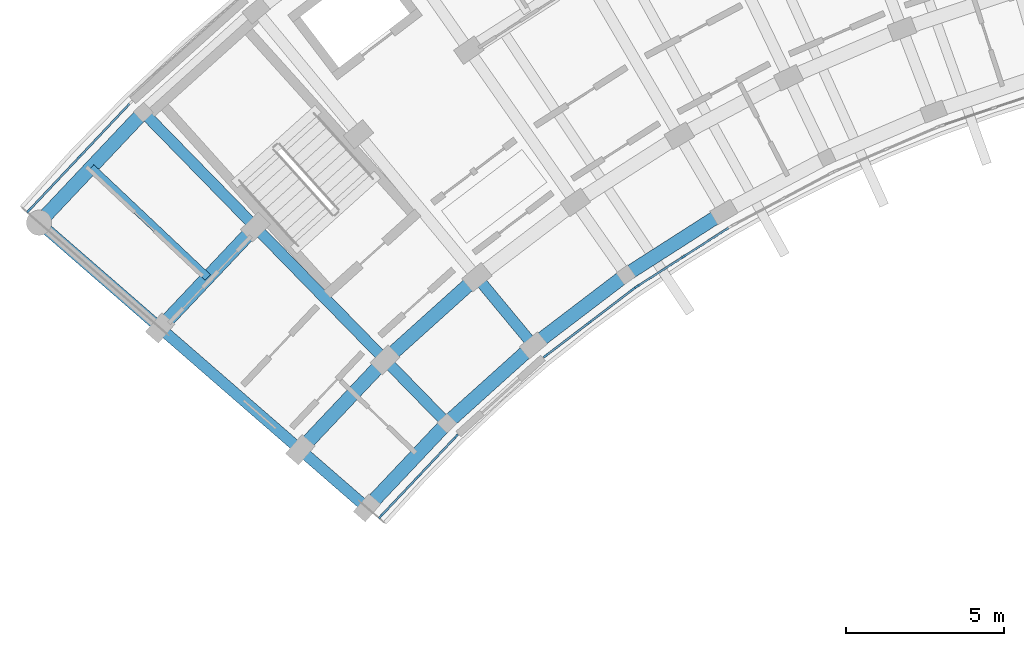
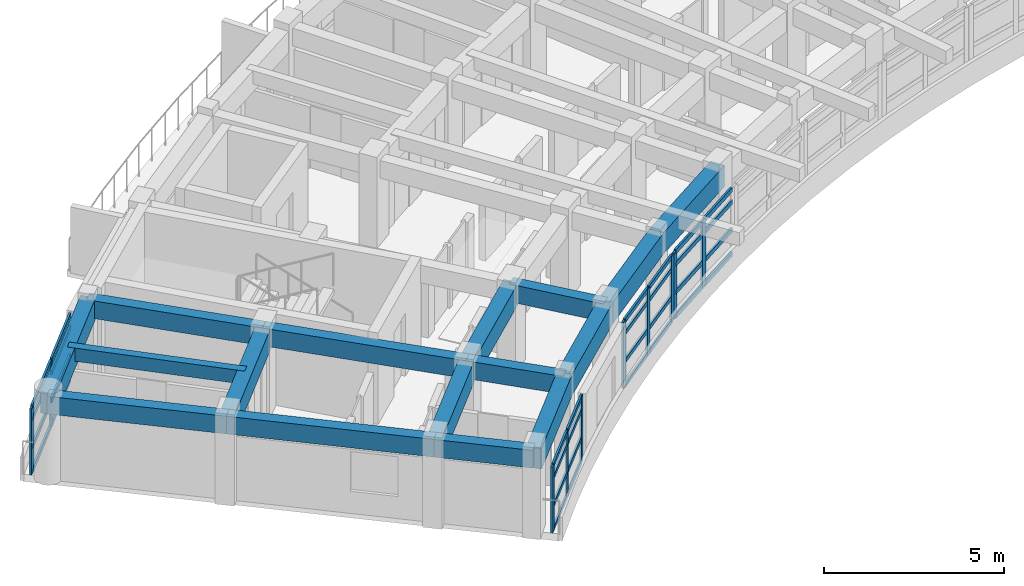
# One storey, part 3 of 54: 42 members, 16 beams, 4 elements without a shape of their own.
"""IFC4 building model written with IfcOpenShell, lengths in metres."""

from ifc_helpers import new_model, si_unit, direction, frame, origin, origin_2d, place, context, subcontext, project, spatial, rectangle, extrude, material, material_profile, profile_set, type_object, element, aggregate, save


model = new_model("IFC4")

# Units and contexts
model_context = context("Model", 3, precision=1e-05, world=origin(), true_north=direction((0.0, 1.0)))
body_context = subcontext(model_context, "Body", "Model", "MODEL_VIEW")
ifc_project = project(units=[si_unit("LENGTHUNIT", "METRE"), si_unit("AREAUNIT", "SQUARE_METRE"), si_unit("VOLUMEUNIT", "CUBIC_METRE"), si_unit("PLANEANGLEUNIT", "RADIAN"), si_unit("MASSUNIT", "GRAM", prefix="KILO")], contexts=[model_context])

# Site, building, storey
site_placement = place(None, origin())
site = spatial("IfcSite", under=ifc_project, at=site_placement, CompositionType="ELEMENT")
building_placement = place(site_placement, origin())
building = spatial("IfcBuilding", under=site, at=building_placement, Name="Zimvara Arc Housing Community", CompositionType="ELEMENT")
storey_placement = place(building_placement, frame((0.0, 0.0, 20.5)))
storey = spatial("IfcBuildingStorey", under=building, at=storey_placement, Name="L06", CompositionType="ELEMENT", Elevation=20.5)

# Beams
ifc_material_1 = material(Name="Concrete C40/50", Category="concrete")
ifc_material_profile_1 = material_profile(ifc_material_1, rectangle(XDim=0.25, YDim=0.449951171875, at=origin_2d()), Name="RC 250x450")
ifc_profile_set_1 = profile_set([ifc_material_profile_1], Name="Concrete C40/50")
beam_type_1 = type_object("IfcBeamType", Name="BM-RC-250x450", PredefinedType="JOIST", material=ifc_profile_set_1)
beam_1_placement = place(storey_placement, frame((5.904296875, 81.3935546875, 2.635009765625), z_axis=(-0.727299876429, 0.686319815936, 0.0), x_axis=(-0.686319815936, -0.727299876429, 0.0)))
element("IfcBeam", 1, at=beam_1_placement, inside=storey, type_object=beam_type_1, Name="bm:blkA:L06:joist:b0", PredefinedType="JOIST", context=body_context, shape_type="SweptSolid", body=[
    extrude(rectangle(XDim=0.25, YDim=0.449951171875, at=origin_2d()), origin(), (0.0, 0.0, 1.0), 5.075927734375),
])
ifc_material_2 = material(Name="Concrete C40/50", Category="concrete")
ifc_material_profile_2 = material_profile(ifc_material_2, rectangle(XDim=0.35009765625, YDim=0.60009765625, at=origin_2d()), Name="RC 350x600")
ifc_profile_set_2 = profile_set([ifc_material_profile_2], Name="Concrete C40/50")
beam_type_2 = type_object("IfcBeamType", Name="BM-RC-350x600", PredefinedType="BEAM", material=ifc_profile_set_2)
beam_2_placement = place(storey_placement, frame((10.947509765625, 74.101318359375, 2.56005859375), z_axis=(-0.754733151583, 0.656031912259, 0.0), x_axis=(-0.656031912259, -0.754733151583, 0.0)))
element("IfcBeam", 2, at=beam_2_placement, inside=storey, type_object=beam_type_2, Name="bm:blkA:L06:rad:b0:r01", PredefinedType="BEAM", context=body_context, shape_type="SweptSolid", body=[
    extrude(rectangle(XDim=0.35009765625, YDim=0.60009765625, at=origin_2d()), origin(), (0.0, 0.0, 1.0), 2.800048828125),
])
beam_3_placement = place(storey_placement, frame((8.834228515625, 75.938232421875, 2.56005859375), z_axis=(-0.754692223258, 0.656078995362, 0.0), x_axis=(-0.656078995362, -0.754692223258, 0.0)))
element("IfcBeam", 3, at=beam_3_placement, inside=storey, type_object=beam_type_2, Name="bm:blkA:L06:rad:b0:r12", PredefinedType="BEAM", context=body_context, shape_type="SweptSolid", body=[
    extrude(rectangle(XDim=0.35009765625, YDim=0.60009765625, at=origin_2d()), origin(), (0.0, 0.0, 1.0), 5.8798828125),
])
beam_4_placement = place(storey_placement, frame((4.396728515625, 79.7958984375, 2.56005859375), z_axis=(-0.754716217499, 0.656051393599, 0.0), x_axis=(-0.656051393599, -0.754716217499, 0.0)))
element("IfcBeam", 4, at=beam_4_placement, inside=storey, type_object=beam_type_2, Name="bm:blkA:L06:rad:b0:r23", PredefinedType="BEAM", context=body_context, shape_type="SweptSolid", body=[
    extrude(rectangle(XDim=0.35009765625, YDim=0.60009765625, at=origin_2d()), origin(), (0.0, 0.0, 1.0), 5.080078125),
])
beam_5_placement = place(storey_placement, frame((13.476318359375, 76.781005859375, 2.56005859375), z_axis=(-0.698643013894, 0.71547043205, 0.0), x_axis=(-0.71547043205, -0.698643013894, 0.0)))
element("IfcBeam", 5, at=beam_5_placement, inside=storey, type_object=beam_type_2, Name="bm:blkA:L06:rad:b1:r01", PredefinedType="BEAM", context=body_context, shape_type="SweptSolid", body=[
    extrude(rectangle(XDim=0.35009765625, YDim=0.60009765625, at=origin_2d()), origin(), (0.0, 0.0, 1.0), 2.800048828125),
])
beam_6_placement = place(storey_placement, frame((11.52001953125, 78.784423828125, 2.56005859375), z_axis=(-0.698669844288, 0.715444231707, 0.0), x_axis=(-0.715444231707, -0.698669844288, 0.0)))
element("IfcBeam", 6, at=beam_6_placement, inside=storey, type_object=beam_type_2, Name="bm:blkA:L06:rad:b1:r12", PredefinedType="BEAM", context=body_context, shape_type="SweptSolid", body=[
    extrude(rectangle(XDim=0.35009765625, YDim=0.60009765625, at=origin_2d()), origin(), (0.0, 0.0, 1.0), 5.8798828125),
])
beam_7_placement = place(storey_placement, frame((7.411865234375, 82.9912109375, 2.56005859375), z_axis=(-0.698670885014, 0.71544321538, 0.0), x_axis=(-0.71544321538, -0.698670885014, 0.0)))
element("IfcBeam", 7, at=beam_7_placement, inside=storey, type_object=beam_type_2, Name="bm:blkA:L06:rad:b1:r23", PredefinedType="BEAM", context=body_context, shape_type="SweptSolid", body=[
    extrude(rectangle(XDim=0.35009765625, YDim=0.60009765625, at=origin_2d()), origin(), (0.0, 0.0, 1.0), 5.080078125),
])
beam_8_placement = place(storey_placement, frame((16.215087890625, 79.245361328125, 2.56005859375), z_axis=(-0.637917412223, 0.770104781951, 0.0), x_axis=(-0.770104781951, -0.637917412223, 0.0)))
element("IfcBeam", 8, at=beam_8_placement, inside=storey, type_object=beam_type_2, Name="bm:blkA:L06:rad:b2:r01", PredefinedType="BEAM", context=body_context, shape_type="SweptSolid", body=[
    extrude(rectangle(XDim=0.35009765625, YDim=0.60009765625, at=origin_2d()), origin(), (0.0, 0.0, 1.0), 2.800048828125),
])
ifc_material_3 = material(Name="Concrete C40/50", Category="concrete")
ifc_material_profile_3 = material_profile(ifc_material_3, rectangle(XDim=0.43994140625, YDim=0.719970703125, at=origin_2d()), Name="RC 440x720")
ifc_profile_set_3 = profile_set([ifc_material_profile_3], Name="Concrete C40/50")
beam_type_3 = type_object("IfcBeamType", Name="BM-RC-440x720", PredefinedType="BEAM", material=ifc_profile_set_3)
beam_9_placement = place(storey_placement, frame((10.947509765625, 74.101318359375, 2.5), z_axis=(0.686335517678, 0.727285059088, 0.0), x_axis=(-0.727285059088, 0.686335517678, 0.0)))
element("IfcBeam", 9, at=beam_9_placement, inside=storey, type_object=beam_type_3, Name="bm:blkA:L06:chord:r0:b0", PredefinedType="BEAM", context=body_context, shape_type="SweptSolid", body=[
    extrude(rectangle(XDim=0.43994140625, YDim=0.719970703125, at=origin_2d()), origin(), (0.0, 0.0, 1.0), 3.6845703125),
])
beam_10_placement = place(storey_placement, frame((13.476318359375, 76.781005859375, 2.5), z_axis=(0.743366631239, 0.668884183966, 0.0), x_axis=(-0.668884183966, 0.743366631239, 0.0)))
element("IfcBeam", 10, at=beam_10_placement, inside=storey, type_object=beam_type_3, Name="bm:blkA:L06:chord:r0:b1", PredefinedType="BEAM", context=body_context, shape_type="SweptSolid", body=[
    extrude(rectangle(XDim=0.43994140625, YDim=0.719970703125, at=origin_2d()), origin(), (0.0, 0.0, 1.0), 3.684326171875),
])
beam_11_placement = place(storey_placement, frame((16.215087890625, 79.245361328125, 2.5), z_axis=(0.795453014049, 0.606015265847, 0.0), x_axis=(-0.606015265847, 0.795453014049, 0.0)))
element("IfcBeam", 11, at=beam_11_placement, inside=storey, type_object=beam_type_3, Name="bm:blkA:L06:chord:r0:b2", PredefinedType="BEAM", context=body_context, shape_type="SweptSolid", body=[
    extrude(rectangle(XDim=0.43994140625, YDim=0.719970703125, at=origin_2d()), origin(), (0.0, 0.0, 1.0), 3.6845703125),
])
beam_12_placement = place(storey_placement, frame((19.14599609375, 81.478271484375, 2.5), z_axis=(0.842272604079, 0.539051816079, 0.0), x_axis=(-0.539051816079, 0.842272604079, 0.0)))
element("IfcBeam", 12, at=beam_12_placement, inside=storey, type_object=beam_type_3, Name="bm:blkA:L06:chord:r0:b3", PredefinedType="BEAM", context=body_context, shape_type="SweptSolid", body=[
    extrude(rectangle(XDim=0.43994140625, YDim=0.719970703125, at=origin_2d()), origin(), (0.0, 0.0, 1.0), 3.684326171875),
])
beam_13_placement = place(storey_placement, frame((8.834228515625, 75.938232421875, 2.5), z_axis=(0.686315710793, 0.727303750243, 0.0), x_axis=(-0.727303750243, 0.686315710793, 0.0)))
element("IfcBeam", 13, at=beam_13_placement, inside=storey, type_object=beam_type_3, Name="bm:blkA:L06:chord:r1:b0", PredefinedType="BEAM", context=body_context, shape_type="SweptSolid", body=[
    extrude(rectangle(XDim=0.43994140625, YDim=0.719970703125, at=origin_2d()), origin(), (0.0, 0.0, 1.0), 3.913330078125),
])
beam_14_placement = place(storey_placement, frame((11.52001953125, 78.784423828125, 2.5), z_axis=(0.743402719516, 0.668844074965, 0.0), x_axis=(-0.668844074965, 0.743402719516, 0.0)))
element("IfcBeam", 14, at=beam_14_placement, inside=storey, type_object=beam_type_3, Name="bm:blkA:L06:chord:r1:b1", PredefinedType="BEAM", context=body_context, shape_type="SweptSolid", body=[
    extrude(rectangle(XDim=0.43994140625, YDim=0.719970703125, at=origin_2d()), origin(), (0.0, 0.0, 1.0), 3.9130859375),
])
beam_15_placement = place(storey_placement, frame((4.396728515625, 79.7958984375, 2.5), z_axis=(0.686303637813, 0.727315142648, 0.0), x_axis=(-0.727315142648, 0.686303637813, 0.0)))
element("IfcBeam", 15, at=beam_15_placement, inside=storey, type_object=beam_type_3, Name="bm:blkA:L06:chord:r2:b0", PredefinedType="BEAM", context=body_context, shape_type="SweptSolid", body=[
    extrude(rectangle(XDim=0.43994140625, YDim=0.719970703125, at=origin_2d()), origin(), (0.0, 0.0, 1.0), 4.393310546875),
])
beam_16_placement = place(storey_placement, frame((0.562744140625, 83.128662109375, 2.5), z_axis=(0.6862954451, 0.727322873307, 0.0), x_axis=(-0.727322873307, 0.6862954451, 0.0)))
element("IfcBeam", 16, at=beam_16_placement, inside=storey, type_object=beam_type_3, Name="bm:blkA:L06:chord:r3:b0", PredefinedType="BEAM", context=body_context, shape_type="SweptSolid", body=[
    extrude(rectangle(XDim=0.43994140625, YDim=0.719970703125, at=origin_2d()), origin(), (0.0, 0.0, 1.0), 4.80810546875),
])

# Curtain wall, members
ifc_material_4 = material(Name="Anodised Aluminium AW-6063", Category="aluminium")
curtain_wall_type_1 = type_object("IfcCurtainWallType", Name="CW-SYS-02", PredefinedType="USERDEFINED", material=ifc_material_4)
curtain_wall_1_placement = place(storey_placement, origin())
curtain_wall_1 = element("IfcCurtainWall", 17, at=curtain_wall_1_placement, inside=storey, type_object=curtain_wall_type_1, Name="cw:blkA:L06:in:b0", ObjectType="CURTAIN WALL", PredefinedType="USERDEFINED")
ifc_material_5 = material(Name="Anodised Aluminium AW-6063", Category="aluminium")
ifc_material_profile_4 = material_profile(ifc_material_5, rectangle(XDim=0.06494140625, YDim=0.179931640625, at=origin_2d()), Name="ALU 65x180")
ifc_profile_set_4 = profile_set([ifc_material_profile_4], Name="Anodised Aluminium AW-6063")
member_type_1 = type_object("IfcMemberType", Name="CWM-65x150", PredefinedType="MULLION", material=ifc_profile_set_4)
member_1_placement = place(storey_placement, frame((11.388427734375, 73.840576171875, 0.0), z_axis=(0.0, 0.0, 1.0), x_axis=(-0.727293280483, 0.686326805658, 0.0)))
member_1 = element("IfcMember", 18, at=member_1_placement, type_object=member_type_1, Name="CW02 mullion 1", PredefinedType="MULLION", context=body_context, shape_type="SweptSolid", body=[
    extrude(rectangle(XDim=0.06494140625, YDim=0.179931640625, at=origin_2d()), origin(), (0.0, 0.0, 1.0), 2.25),
])
member_2_placement = place(storey_placement, frame((12.5751953125, 75.098388671875, 0.0), z_axis=(0.0, 0.0, 1.0), x_axis=(-0.727293280483, 0.686326805658, 0.0)))
member_2 = element("IfcMember", 19, at=member_2_placement, type_object=member_type_1, Name="CW02 mullion 2", PredefinedType="MULLION", context=body_context, shape_type="SweptSolid", body=[
    extrude(rectangle(XDim=0.06494140625, YDim=0.179931640625, at=origin_2d()), origin(), (0.0, 0.0, 1.0), 2.25),
])
member_3_placement = place(storey_placement, frame((13.761962890625, 76.35595703125, 0.0), z_axis=(0.0, 0.0, 1.0), x_axis=(-0.727293280483, 0.686326805658, 0.0)))
member_3 = element("IfcMember", 20, at=member_3_placement, type_object=member_type_1, Name="CW02 mullion 3", PredefinedType="MULLION", context=body_context, shape_type="SweptSolid", body=[
    extrude(rectangle(XDim=0.06494140625, YDim=0.179931640625, at=origin_2d()), origin(), (0.0, 0.0, 1.0), 2.25),
])

ifc_material_6 = material(Name="Anodised Aluminium AW-6063", Category="aluminium")
curtain_wall_type_2 = type_object("IfcCurtainWallType", Name="CW-SYS-04", PredefinedType="USERDEFINED", material=ifc_material_6)
curtain_wall_2_placement = place(storey_placement, origin())
curtain_wall_2 = element("IfcCurtainWall", 21, at=curtain_wall_2_placement, inside=storey, type_object=curtain_wall_type_2, Name="cw:blkA:L06:in:b2", ObjectType="CURTAIN WALL", PredefinedType="USERDEFINED")
member_4_placement = place(storey_placement, frame((16.607666015625, 78.91650390625, 0.0), z_axis=(0.0, 0.0, 1.0), x_axis=(-0.605988318533, 0.795473543119, 0.0)))
member_4 = element("IfcMember", 22, at=member_4_placement, type_object=member_type_1, Name="CW04 mullion 1", PredefinedType="MULLION", context=body_context, shape_type="SweptSolid", body=[
    extrude(rectangle(XDim=0.06494140625, YDim=0.179931640625, at=origin_2d()), origin(), (0.0, 0.0, 1.0), 2.25),
])
member_5_placement = place(storey_placement, frame((17.9833984375, 79.96435546875, 0.0), z_axis=(0.0, 0.0, 1.0), x_axis=(-0.605988318533, 0.795473543119, 0.0)))
member_5 = element("IfcMember", 23, at=member_5_placement, type_object=member_type_1, Name="CW04 mullion 2", PredefinedType="MULLION", context=body_context, shape_type="SweptSolid", body=[
    extrude(rectangle(XDim=0.06494140625, YDim=0.179931640625, at=origin_2d()), origin(), (0.0, 0.0, 1.0), 2.25),
])
member_6_placement = place(storey_placement, frame((19.35888671875, 81.012451171875, 0.0), z_axis=(0.0, 0.0, 1.0), x_axis=(-0.605988318533, 0.795473543119, 0.0)))
member_6 = element("IfcMember", 24, at=member_6_placement, type_object=member_type_1, Name="CW04 mullion 3", PredefinedType="MULLION", context=body_context, shape_type="SweptSolid", body=[
    extrude(rectangle(XDim=0.06494140625, YDim=0.179931640625, at=origin_2d()), origin(), (0.0, 0.0, 1.0), 2.25),
])

ifc_material_7 = material(Name="Anodised Aluminium AW-6063", Category="aluminium")
curtain_wall_type_3 = type_object("IfcCurtainWallType", Name="CW-SYS-01", PredefinedType="USERDEFINED", material=ifc_material_7)
curtain_wall_3_placement = place(storey_placement, origin())
curtain_wall_3 = element("IfcCurtainWall", 25, at=curtain_wall_3_placement, inside=storey, type_object=curtain_wall_type_3, Name="cw:blkA:L06:out:b0", ObjectType="CURTAIN WALL", PredefinedType="USERDEFINED")
ifc_material_8 = material(Name="Anodised Aluminium AW-6063", Category="aluminium")
ifc_material_profile_5 = material_profile(ifc_material_8, rectangle(XDim=0.06494140625, YDim=0.195068359375, at=origin_2d()), Name="ALU 65x195")
ifc_profile_set_5 = profile_set([ifc_material_profile_5], Name="Anodised Aluminium AW-6063")
member_type_2 = type_object("IfcMemberType", Name="CWM-65x180", PredefinedType="MULLION", material=ifc_profile_set_5)
member_7_placement = place(storey_placement, frame((0.248779296875, 83.524169921875, 0.0), z_axis=(0.0, 0.0, 1.0), x_axis=(-0.727293647725, 0.686326416495, 0.0)))
member_7 = element("IfcMember", 26, at=member_7_placement, type_object=member_type_2, Name="CW01 mullion 1", PredefinedType="MULLION", context=body_context, shape_type="SweptSolid", body=[
    extrude(rectangle(XDim=0.06494140625, YDim=0.195068359375, at=origin_2d()), origin(), (0.0, 0.0, 1.0), 2.25),
])
member_8_placement = place(storey_placement, frame((1.849365234375, 85.219970703125, 0.0), z_axis=(0.0, 0.0, 1.0), x_axis=(-0.727293647725, 0.686326416495, 0.0)))
member_8 = element("IfcMember", 27, at=member_8_placement, type_object=member_type_2, Name="CW01 mullion 2", PredefinedType="MULLION", context=body_context, shape_type="SweptSolid", body=[
    extrude(rectangle(XDim=0.06494140625, YDim=0.195068359375, at=origin_2d()), origin(), (0.0, 0.0, 1.0), 2.25),
])

ifc_material_9 = material(Name="Anodised Aluminium AW-6063", Category="aluminium")
curtain_wall_type_4 = type_object("IfcCurtainWallType", Name="CW-SYS-05", PredefinedType="USERDEFINED", material=ifc_material_9)
curtain_wall_4_placement = place(storey_placement, origin())
curtain_wall_4 = element("IfcCurtainWall", 28, at=curtain_wall_4_placement, inside=storey, type_object=curtain_wall_type_4, Name="cw:blkA:L06:in:b3", ObjectType="CURTAIN WALL", PredefinedType="USERDEFINED")
member_9_placement = place(storey_placement, frame((19.510498046875, 81.118408203125, 0.0), z_axis=(0.0, 0.0, 1.0), x_axis=(-0.539064085203, 0.842264751752, 0.0)))
member_9 = element("IfcMember", 29, at=member_9_placement, type_object=member_type_2, Name="CW05 mullion 1", PredefinedType="MULLION", context=body_context, shape_type="SweptSolid", body=[
    extrude(rectangle(XDim=0.06494140625, YDim=0.195068359375, at=origin_2d()), origin(), (0.0, 0.0, 1.0), 2.25),
])
member_10_placement = place(storey_placement, frame((20.967041015625, 82.050537109375, 0.0), z_axis=(0.0, 0.0, 1.0), x_axis=(-0.539064085203, 0.842264751752, 0.0)))
member_10 = element("IfcMember", 30, at=member_10_placement, type_object=member_type_2, Name="CW05 mullion 2", PredefinedType="MULLION", context=body_context, shape_type="SweptSolid", body=[
    extrude(rectangle(XDim=0.06494140625, YDim=0.195068359375, at=origin_2d()), origin(), (0.0, 0.0, 1.0), 2.25),
])

# Member
ifc_material_10 = material(Name="Anodised Aluminium AW-6063", Category="aluminium")
ifc_material_profile_6 = material_profile(ifc_material_10, rectangle(XDim=0.06494140625, YDim=0.139892578125, at=origin_2d()), Name="ALU 65x140")
ifc_profile_set_6 = profile_set([ifc_material_profile_6], Name="Anodised Aluminium AW-6063")
member_type_3 = type_object("IfcMemberType", Name="CWT-65x120", PredefinedType="USERDEFINED", material=ifc_profile_set_6)
member_11_placement = place(storey_placement, frame((11.41064453125, 73.8642578125, 0.032470703125), z_axis=(0.686347817597, 0.727273451516, 0.0), x_axis=(-0.727273451516, 0.686347817597, 0.0)))
member_11 = element("IfcMember", 31, at=member_11_placement, type_object=member_type_3, Name="CW02 transom 1.1", ObjectType="TRANSOM", PredefinedType="USERDEFINED", context=body_context, shape_type="SweptSolid", body=[
    extrude(rectangle(XDim=0.06494140625, YDim=0.139892578125, at=origin_2d()), origin(), (0.0, 0.0, 1.0), 1.664306640625),
])

member_12_placement = place(storey_placement, frame((11.41064453125, 73.8642578125, 0.85009765625), z_axis=(0.686347817597, 0.727273451516, 0.0), x_axis=(-0.727273451516, 0.686347817597, 0.0)))
member_12 = element("IfcMember", 32, at=member_12_placement, type_object=member_type_3, Name="CW02 transom 1.2", ObjectType="TRANSOM", PredefinedType="USERDEFINED", context=body_context, shape_type="SweptSolid", body=[
    extrude(rectangle(XDim=0.06494140625, YDim=0.139892578125, at=origin_2d()), origin(), (0.0, 0.0, 1.0), 1.664306640625),
])

member_13_placement = place(storey_placement, frame((11.41064453125, 73.8642578125, 1.800048828125), z_axis=(0.686347817597, 0.727273451516, 0.0), x_axis=(-0.727273451516, 0.686347817597, 0.0)))
member_13 = element("IfcMember", 33, at=member_13_placement, type_object=member_type_3, Name="CW02 transom 1.3", ObjectType="TRANSOM", PredefinedType="USERDEFINED", context=body_context, shape_type="SweptSolid", body=[
    extrude(rectangle(XDim=0.06494140625, YDim=0.139892578125, at=origin_2d()), origin(), (0.0, 0.0, 1.0), 1.664306640625),
])

member_14_placement = place(storey_placement, frame((11.41064453125, 73.8642578125, 2.217529296875), z_axis=(0.686347817597, 0.727273451516, 0.0), x_axis=(-0.727273451516, 0.686347817597, 0.0)))
member_14 = element("IfcMember", 34, at=member_14_placement, type_object=member_type_3, Name="CW02 transom 1.4", ObjectType="TRANSOM", PredefinedType="USERDEFINED", context=body_context, shape_type="SweptSolid", body=[
    extrude(rectangle(XDim=0.06494140625, YDim=0.139892578125, at=origin_2d()), origin(), (0.0, 0.0, 1.0), 1.664306640625),
])

member_15_placement = place(storey_placement, frame((12.597412109375, 75.1220703125, 0.032470703125), z_axis=(0.686347817597, 0.727273451516, 0.0), x_axis=(-0.727273451516, 0.686347817597, 0.0)))
member_15 = element("IfcMember", 35, at=member_15_placement, type_object=member_type_3, Name="CW02 transom 2.1", ObjectType="TRANSOM", PredefinedType="USERDEFINED", context=body_context, shape_type="SweptSolid", body=[
    extrude(rectangle(XDim=0.06494140625, YDim=0.139892578125, at=origin_2d()), origin(), (0.0, 0.0, 1.0), 1.664306640625),
])

member_16_placement = place(storey_placement, frame((12.597412109375, 75.1220703125, 0.85009765625), z_axis=(0.686347817597, 0.727273451516, 0.0), x_axis=(-0.727273451516, 0.686347817597, 0.0)))
member_16 = element("IfcMember", 36, at=member_16_placement, type_object=member_type_3, Name="CW02 transom 2.2", ObjectType="TRANSOM", PredefinedType="USERDEFINED", context=body_context, shape_type="SweptSolid", body=[
    extrude(rectangle(XDim=0.06494140625, YDim=0.139892578125, at=origin_2d()), origin(), (0.0, 0.0, 1.0), 1.664306640625),
])

member_17_placement = place(storey_placement, frame((12.597412109375, 75.1220703125, 1.800048828125), z_axis=(0.686347817597, 0.727273451516, 0.0), x_axis=(-0.727273451516, 0.686347817597, 0.0)))
member_17 = element("IfcMember", 37, at=member_17_placement, type_object=member_type_3, Name="CW02 transom 2.3", ObjectType="TRANSOM", PredefinedType="USERDEFINED", context=body_context, shape_type="SweptSolid", body=[
    extrude(rectangle(XDim=0.06494140625, YDim=0.139892578125, at=origin_2d()), origin(), (0.0, 0.0, 1.0), 1.664306640625),
])

member_18_placement = place(storey_placement, frame((12.597412109375, 75.1220703125, 2.217529296875), z_axis=(0.686347817597, 0.727273451516, 0.0), x_axis=(-0.727273451516, 0.686347817597, 0.0)))
member_18 = element("IfcMember", 38, at=member_18_placement, type_object=member_type_3, Name="CW02 transom 2.4", ObjectType="TRANSOM", PredefinedType="USERDEFINED", context=body_context, shape_type="SweptSolid", body=[
    extrude(rectangle(XDim=0.06494140625, YDim=0.139892578125, at=origin_2d()), origin(), (0.0, 0.0, 1.0), 1.664306640625),
])

aggregate(curtain_wall_1, [member_1, member_2, member_3, member_11, member_12, member_13, member_14, member_15, member_16, member_17, member_18])

member_19_placement = place(storey_placement, frame((16.633544921875, 78.936279296875, 0.032470703125), z_axis=(0.795488960577, 0.605968079687, 0.0), x_axis=(-0.605968079687, 0.795488960577, 0.0)))
member_19 = element("IfcMember", 39, at=member_19_placement, type_object=member_type_3, Name="CW04 transom 1.1", ObjectType="TRANSOM", PredefinedType="USERDEFINED", context=body_context, shape_type="SweptSolid", body=[
    extrude(rectangle(XDim=0.06494140625, YDim=0.139892578125, at=origin_2d()), origin(), (0.0, 0.0, 1.0), 1.664306640625),
])

member_20_placement = place(storey_placement, frame((16.633544921875, 78.936279296875, 0.85009765625), z_axis=(0.795488960577, 0.605968079687, 0.0), x_axis=(-0.605968079687, 0.795488960577, 0.0)))
member_20 = element("IfcMember", 40, at=member_20_placement, type_object=member_type_3, Name="CW04 transom 1.2", ObjectType="TRANSOM", PredefinedType="USERDEFINED", context=body_context, shape_type="SweptSolid", body=[
    extrude(rectangle(XDim=0.06494140625, YDim=0.139892578125, at=origin_2d()), origin(), (0.0, 0.0, 1.0), 1.664306640625),
])

member_21_placement = place(storey_placement, frame((16.633544921875, 78.936279296875, 1.800048828125), z_axis=(0.795488960577, 0.605968079687, 0.0), x_axis=(-0.605968079687, 0.795488960577, 0.0)))
member_21 = element("IfcMember", 41, at=member_21_placement, type_object=member_type_3, Name="CW04 transom 1.3", ObjectType="TRANSOM", PredefinedType="USERDEFINED", context=body_context, shape_type="SweptSolid", body=[
    extrude(rectangle(XDim=0.06494140625, YDim=0.139892578125, at=origin_2d()), origin(), (0.0, 0.0, 1.0), 1.664306640625),
])

member_22_placement = place(storey_placement, frame((16.633544921875, 78.936279296875, 2.217529296875), z_axis=(0.795488960577, 0.605968079687, 0.0), x_axis=(-0.605968079687, 0.795488960577, 0.0)))
member_22 = element("IfcMember", 42, at=member_22_placement, type_object=member_type_3, Name="CW04 transom 1.4", ObjectType="TRANSOM", PredefinedType="USERDEFINED", context=body_context, shape_type="SweptSolid", body=[
    extrude(rectangle(XDim=0.06494140625, YDim=0.139892578125, at=origin_2d()), origin(), (0.0, 0.0, 1.0), 1.664306640625),
])

member_23_placement = place(storey_placement, frame((18.00927734375, 79.984130859375, 0.032470703125), z_axis=(0.795435087713, 0.606038795157, 0.0), x_axis=(-0.606038795157, 0.795435087713, 0.0)))
member_23 = element("IfcMember", 43, at=member_23_placement, type_object=member_type_3, Name="CW04 transom 2.1", ObjectType="TRANSOM", PredefinedType="USERDEFINED", context=body_context, shape_type="SweptSolid", body=[
    extrude(rectangle(XDim=0.06494140625, YDim=0.139892578125, at=origin_2d()), origin(), (0.0, 0.0, 1.0), 1.6640625),
])

member_24_placement = place(storey_placement, frame((18.00927734375, 79.984130859375, 0.85009765625), z_axis=(0.795435087713, 0.606038795157, 0.0), x_axis=(-0.606038795157, 0.795435087713, 0.0)))
member_24 = element("IfcMember", 44, at=member_24_placement, type_object=member_type_3, Name="CW04 transom 2.2", ObjectType="TRANSOM", PredefinedType="USERDEFINED", context=body_context, shape_type="SweptSolid", body=[
    extrude(rectangle(XDim=0.06494140625, YDim=0.139892578125, at=origin_2d()), origin(), (0.0, 0.0, 1.0), 1.6640625),
])

member_25_placement = place(storey_placement, frame((18.00927734375, 79.984130859375, 1.800048828125), z_axis=(0.795435087713, 0.606038795157, 0.0), x_axis=(-0.606038795157, 0.795435087713, 0.0)))
member_25 = element("IfcMember", 45, at=member_25_placement, type_object=member_type_3, Name="CW04 transom 2.3", ObjectType="TRANSOM", PredefinedType="USERDEFINED", context=body_context, shape_type="SweptSolid", body=[
    extrude(rectangle(XDim=0.06494140625, YDim=0.139892578125, at=origin_2d()), origin(), (0.0, 0.0, 1.0), 1.6640625),
])

member_26_placement = place(storey_placement, frame((18.00927734375, 79.984130859375, 2.217529296875), z_axis=(0.795435087713, 0.606038795157, 0.0), x_axis=(-0.606038795157, 0.795435087713, 0.0)))
member_26 = element("IfcMember", 46, at=member_26_placement, type_object=member_type_3, Name="CW04 transom 2.4", ObjectType="TRANSOM", PredefinedType="USERDEFINED", context=body_context, shape_type="SweptSolid", body=[
    extrude(rectangle(XDim=0.06494140625, YDim=0.139892578125, at=origin_2d()), origin(), (0.0, 0.0, 1.0), 1.6640625),
])

aggregate(curtain_wall_2, [member_4, member_5, member_6, member_19, member_20, member_21, member_22, member_23, member_24, member_25, member_26])

ifc_material_11 = material(Name="Anodised Aluminium AW-6063", Category="aluminium")
ifc_material_profile_7 = material_profile(ifc_material_11, rectangle(XDim=0.06494140625, YDim=0.155029296875, at=origin_2d()), Name="ALU 65x155")
ifc_profile_set_7 = profile_set([ifc_material_profile_7], Name="Anodised Aluminium AW-6063")
member_type_4 = type_object("IfcMemberType", Name="CWT-65x140", PredefinedType="USERDEFINED", material=ifc_profile_set_7)
member_27_placement = place(storey_placement, frame((0.271240234375, 83.547607421875, 0.032470703125), z_axis=(0.68623762882, 0.727377423894, 0.0), x_axis=(-0.727377423894, 0.68623762882, 0.0)))
member_27 = element("IfcMember", 47, at=member_27_placement, type_object=member_type_4, Name="CW01 transom 1.1", ObjectType="TRANSOM", PredefinedType="USERDEFINED", context=body_context, shape_type="SweptSolid", body=[
    extrude(rectangle(XDim=0.06494140625, YDim=0.155029296875, at=origin_2d()), origin(), (0.0, 0.0, 1.0), 2.266845703125),
])

member_28_placement = place(storey_placement, frame((0.271240234375, 83.547607421875, 0.85009765625), z_axis=(0.68623762882, 0.727377423894, 0.0), x_axis=(-0.727377423894, 0.68623762882, 0.0)))
member_28 = element("IfcMember", 48, at=member_28_placement, type_object=member_type_4, Name="CW01 transom 1.2", ObjectType="TRANSOM", PredefinedType="USERDEFINED", context=body_context, shape_type="SweptSolid", body=[
    extrude(rectangle(XDim=0.06494140625, YDim=0.155029296875, at=origin_2d()), origin(), (0.0, 0.0, 1.0), 2.266845703125),
])

member_29_placement = place(storey_placement, frame((0.271240234375, 83.547607421875, 1.800048828125), z_axis=(0.68623762882, 0.727377423894, 0.0), x_axis=(-0.727377423894, 0.68623762882, 0.0)))
member_29 = element("IfcMember", 49, at=member_29_placement, type_object=member_type_4, Name="CW01 transom 1.3", ObjectType="TRANSOM", PredefinedType="USERDEFINED", context=body_context, shape_type="SweptSolid", body=[
    extrude(rectangle(XDim=0.06494140625, YDim=0.155029296875, at=origin_2d()), origin(), (0.0, 0.0, 1.0), 2.266845703125),
])

member_30_placement = place(storey_placement, frame((0.271240234375, 83.547607421875, 2.217529296875), z_axis=(0.68623762882, 0.727377423894, 0.0), x_axis=(-0.727377423894, 0.68623762882, 0.0)))
member_30 = element("IfcMember", 50, at=member_30_placement, type_object=member_type_4, Name="CW01 transom 1.4", ObjectType="TRANSOM", PredefinedType="USERDEFINED", context=body_context, shape_type="SweptSolid", body=[
    extrude(rectangle(XDim=0.06494140625, YDim=0.155029296875, at=origin_2d()), origin(), (0.0, 0.0, 1.0), 2.266845703125),
])

member_31_placement = place(storey_placement, frame((1.87158203125, 85.24365234375, 0.032470703125), z_axis=(0.686348357589, 0.727272941911, 0.0), x_axis=(-0.727272941911, 0.686348357589, 0.0)))
member_31 = element("IfcMember", 51, at=member_31_placement, type_object=member_type_4, Name="CW01 transom 2.1", ObjectType="TRANSOM", PredefinedType="USERDEFINED", context=body_context, shape_type="SweptSolid", body=[
    extrude(rectangle(XDim=0.06494140625, YDim=0.155029296875, at=origin_2d()), origin(), (0.0, 0.0, 1.0), 2.266845703125),
])

member_32_placement = place(storey_placement, frame((1.87158203125, 85.24365234375, 0.85009765625), z_axis=(0.686348357589, 0.727272941911, 0.0), x_axis=(-0.727272941911, 0.686348357589, 0.0)))
member_32 = element("IfcMember", 52, at=member_32_placement, type_object=member_type_4, Name="CW01 transom 2.2", ObjectType="TRANSOM", PredefinedType="USERDEFINED", context=body_context, shape_type="SweptSolid", body=[
    extrude(rectangle(XDim=0.06494140625, YDim=0.155029296875, at=origin_2d()), origin(), (0.0, 0.0, 1.0), 2.266845703125),
])

member_33_placement = place(storey_placement, frame((1.87158203125, 85.24365234375, 1.800048828125), z_axis=(0.686348357589, 0.727272941911, 0.0), x_axis=(-0.727272941911, 0.686348357589, 0.0)))
member_33 = element("IfcMember", 53, at=member_33_placement, type_object=member_type_4, Name="CW01 transom 2.3", ObjectType="TRANSOM", PredefinedType="USERDEFINED", context=body_context, shape_type="SweptSolid", body=[
    extrude(rectangle(XDim=0.06494140625, YDim=0.155029296875, at=origin_2d()), origin(), (0.0, 0.0, 1.0), 2.266845703125),
])

member_34_placement = place(storey_placement, frame((1.87158203125, 85.24365234375, 2.217529296875), z_axis=(0.686348357589, 0.727272941911, 0.0), x_axis=(-0.727272941911, 0.686348357589, 0.0)))
member_34 = element("IfcMember", 54, at=member_34_placement, type_object=member_type_4, Name="CW01 transom 2.4", ObjectType="TRANSOM", PredefinedType="USERDEFINED", context=body_context, shape_type="SweptSolid", body=[
    extrude(rectangle(XDim=0.06494140625, YDim=0.155029296875, at=origin_2d()), origin(), (0.0, 0.0, 1.0), 2.266845703125),
])

aggregate(curtain_wall_3, [member_7, member_8, member_27, member_28, member_29, member_30, member_31, member_32, member_33, member_34])

member_35_placement = place(storey_placement, frame((19.537841796875, 81.1357421875, 0.032470703125), z_axis=(0.842263408668, 0.539066183709, 0.0), x_axis=(-0.539066183709, 0.842263408668, 0.0)))
member_35 = element("IfcMember", 55, at=member_35_placement, type_object=member_type_4, Name="CW05 transom 1.1", ObjectType="TRANSOM", PredefinedType="USERDEFINED", context=body_context, shape_type="SweptSolid", body=[
    extrude(rectangle(XDim=0.06494140625, YDim=0.155029296875, at=origin_2d()), origin(), (0.0, 0.0, 1.0), 1.664306640625),
])

member_36_placement = place(storey_placement, frame((19.537841796875, 81.1357421875, 0.85009765625), z_axis=(0.842263408668, 0.539066183709, 0.0), x_axis=(-0.539066183709, 0.842263408668, 0.0)))
member_36 = element("IfcMember", 56, at=member_36_placement, type_object=member_type_4, Name="CW05 transom 1.2", ObjectType="TRANSOM", PredefinedType="USERDEFINED", context=body_context, shape_type="SweptSolid", body=[
    extrude(rectangle(XDim=0.06494140625, YDim=0.155029296875, at=origin_2d()), origin(), (0.0, 0.0, 1.0), 1.664306640625),
])

member_37_placement = place(storey_placement, frame((19.537841796875, 81.1357421875, 1.800048828125), z_axis=(0.842263408668, 0.539066183709, 0.0), x_axis=(-0.539066183709, 0.842263408668, 0.0)))
member_37 = element("IfcMember", 57, at=member_37_placement, type_object=member_type_4, Name="CW05 transom 1.3", ObjectType="TRANSOM", PredefinedType="USERDEFINED", context=body_context, shape_type="SweptSolid", body=[
    extrude(rectangle(XDim=0.06494140625, YDim=0.155029296875, at=origin_2d()), origin(), (0.0, 0.0, 1.0), 1.664306640625),
])

member_38_placement = place(storey_placement, frame((19.537841796875, 81.1357421875, 2.217529296875), z_axis=(0.842263408668, 0.539066183709, 0.0), x_axis=(-0.539066183709, 0.842263408668, 0.0)))
member_38 = element("IfcMember", 58, at=member_38_placement, type_object=member_type_4, Name="CW05 transom 1.4", ObjectType="TRANSOM", PredefinedType="USERDEFINED", context=body_context, shape_type="SweptSolid", body=[
    extrude(rectangle(XDim=0.06494140625, YDim=0.155029296875, at=origin_2d()), origin(), (0.0, 0.0, 1.0), 1.664306640625),
])

member_39_placement = place(storey_placement, frame((20.994384765625, 82.068115234375, 0.032470703125), z_axis=(0.842330007588, 0.538962112135, 0.0), x_axis=(-0.538962112135, 0.842330007588, 0.0)))
member_39 = element("IfcMember", 59, at=member_39_placement, type_object=member_type_4, Name="CW05 transom 2.1", ObjectType="TRANSOM", PredefinedType="USERDEFINED", context=body_context, shape_type="SweptSolid", body=[
    extrude(rectangle(XDim=0.06494140625, YDim=0.155029296875, at=origin_2d()), origin(), (0.0, 0.0, 1.0), 1.664306640625),
])

member_40_placement = place(storey_placement, frame((20.994384765625, 82.068115234375, 0.85009765625), z_axis=(0.842330007588, 0.538962112135, 0.0), x_axis=(-0.538962112135, 0.842330007588, 0.0)))
member_40 = element("IfcMember", 60, at=member_40_placement, type_object=member_type_4, Name="CW05 transom 2.2", ObjectType="TRANSOM", PredefinedType="USERDEFINED", context=body_context, shape_type="SweptSolid", body=[
    extrude(rectangle(XDim=0.06494140625, YDim=0.155029296875, at=origin_2d()), origin(), (0.0, 0.0, 1.0), 1.664306640625),
])

member_41_placement = place(storey_placement, frame((20.994384765625, 82.068115234375, 1.800048828125), z_axis=(0.842330007588, 0.538962112135, 0.0), x_axis=(-0.538962112135, 0.842330007588, 0.0)))
member_41 = element("IfcMember", 61, at=member_41_placement, type_object=member_type_4, Name="CW05 transom 2.3", ObjectType="TRANSOM", PredefinedType="USERDEFINED", context=body_context, shape_type="SweptSolid", body=[
    extrude(rectangle(XDim=0.06494140625, YDim=0.155029296875, at=origin_2d()), origin(), (0.0, 0.0, 1.0), 1.664306640625),
])

member_42_placement = place(storey_placement, frame((20.994384765625, 82.068115234375, 2.217529296875), z_axis=(0.842330007588, 0.538962112135, 0.0), x_axis=(-0.538962112135, 0.842330007588, 0.0)))
member_42 = element("IfcMember", 62, at=member_42_placement, type_object=member_type_4, Name="CW05 transom 2.4", ObjectType="TRANSOM", PredefinedType="USERDEFINED", context=body_context, shape_type="SweptSolid", body=[
    extrude(rectangle(XDim=0.06494140625, YDim=0.155029296875, at=origin_2d()), origin(), (0.0, 0.0, 1.0), 1.664306640625),
])

aggregate(curtain_wall_4, [member_9, member_10, member_35, member_36, member_37, member_38, member_39, member_40, member_41, member_42])

save(model, "model.ifc")
